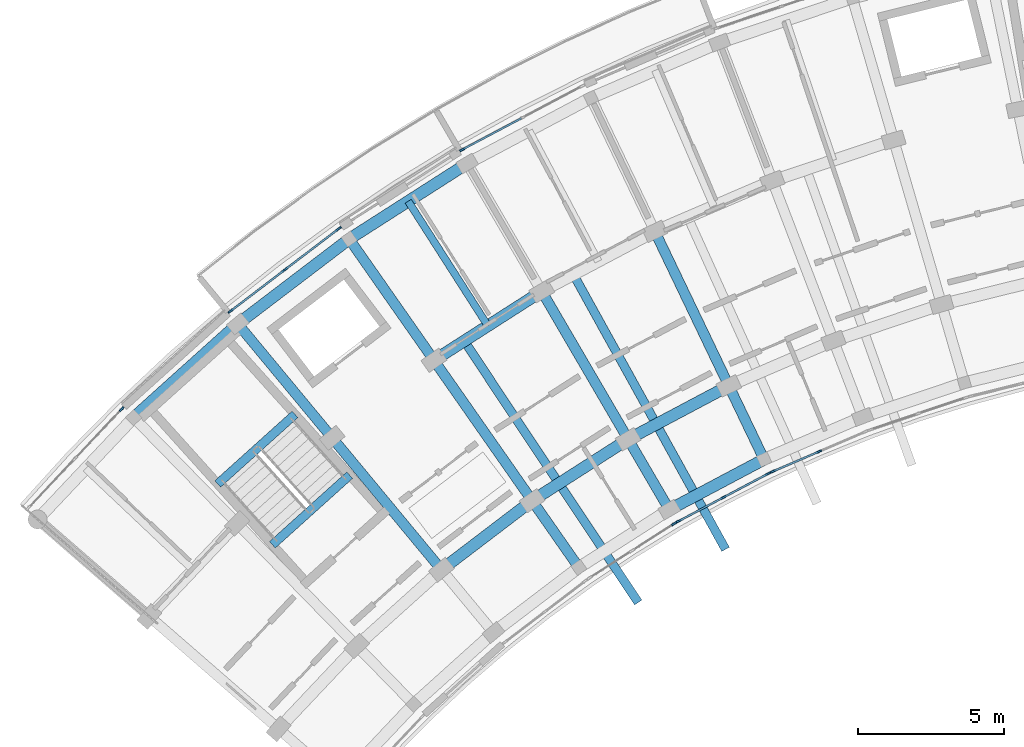
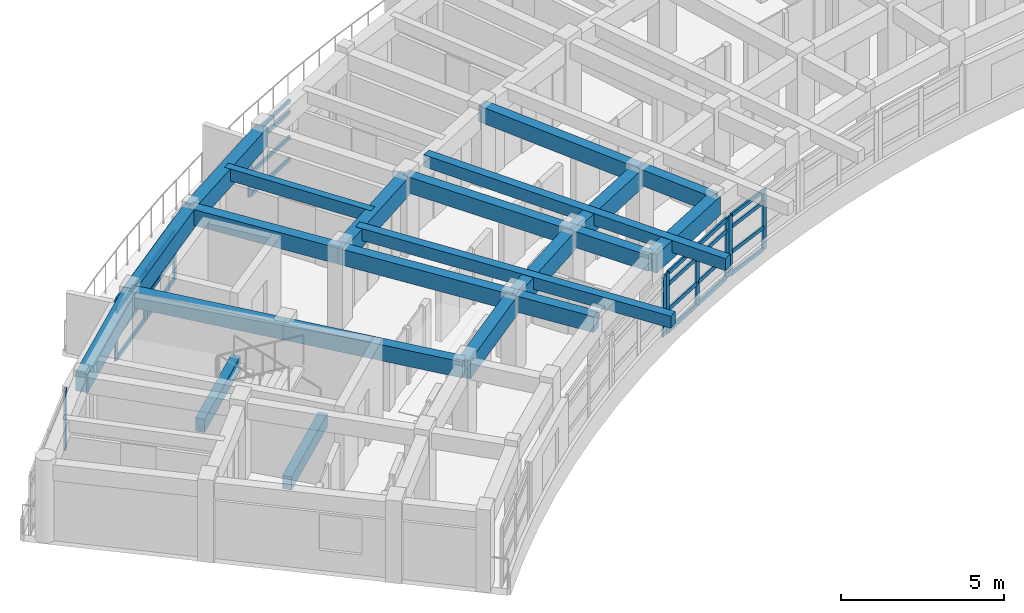
# One storey, part 9 of 50: 35 members, 22 beams, 6 elements without a shape of their own.
"""IFC4 building model written with IfcOpenShell, lengths in metres."""

from ifc_helpers import new_model, si_unit, direction, frame, origin, origin_2d, place, context, subcontext, project, spatial, rectangle, extrude, material, material_profile, profile_set, type_object, element, aggregate, save


model = new_model("IFC4")

# Units and contexts
model_context = context("Model", 3, precision=1e-05, world=origin(), true_north=direction((0.0, 1.0)))
body_context = subcontext(model_context, "Body", "Model", "MODEL_VIEW")
ifc_project = project(units=[si_unit("LENGTHUNIT", "METRE"), si_unit("AREAUNIT", "SQUARE_METRE"), si_unit("VOLUMEUNIT", "CUBIC_METRE"), si_unit("PLANEANGLEUNIT", "RADIAN"), si_unit("MASSUNIT", "GRAM", prefix="KILO")], contexts=[model_context])

# Site, building, storey
site_placement = place(None, origin())
site = spatial("IfcSite", under=ifc_project, at=site_placement, CompositionType="ELEMENT")
building_placement = place(site_placement, origin())
building = spatial("IfcBuilding", under=site, at=building_placement, Name="Zimvara Arc Housing Community", CompositionType="ELEMENT")
storey_placement = place(building_placement, frame((0.0, 0.0, 26.699951171875)))
storey = spatial("IfcBuildingStorey", under=building, at=storey_placement, Name="L08", CompositionType="ELEMENT", Elevation=26.699951171875)

# Beams
ifc_material_1 = material(Name="Concrete C40/50", Category="concrete")
ifc_material_profile_1 = material_profile(ifc_material_1, rectangle(XDim=0.25, YDim=0.449951171875, at=origin_2d()), Name="RC 250x450")
ifc_profile_set_1 = profile_set([ifc_material_profile_1], Name="Concrete C40/50")
beam_type_1 = type_object("IfcBeamType", Name="BM-RC-250x450", PredefinedType="JOIST", material=ifc_profile_set_1)
beam_1_placement = place(storey_placement, frame((16.0224609375, 89.776123046875, 2.655029296875), z_axis=(-0.539052331508, 0.842272274206, 0.0), x_axis=(-0.842272274206, -0.539052331508, 0.0)))
element("IfcBeam", 1, at=beam_1_placement, inside=storey, type_object=beam_type_1, Name="bm:blkA:L08:joist:b3", PredefinedType="JOIST", context=body_context, shape_type="SweptSolid", body=[
    extrude(rectangle(XDim=0.25, YDim=0.449951171875, at=origin_2d()), origin(), (0.0, 0.0, 1.0), 5.07568359375),
])
ifc_material_2 = material(Name="Concrete C40/50", Category="concrete")
ifc_material_profile_2 = material_profile(ifc_material_2, rectangle(XDim=0.300048828125, YDim=0.449951171875, at=origin_2d()), Name="RC 300x450")
ifc_profile_set_2 = profile_set([ifc_material_profile_2], Name="Concrete C40/50")
beam_type_2 = type_object("IfcBeamType", Name="BM-RC-300x450", PredefinedType="JOIST", material=ifc_profile_set_2)
for number, where, z_axis, x_axis, name in (
    (2, (15.188720703125, 89.285400390625, 2.6650390625), (0.55411687771, -0.832438878139, 0.0), (0.832438878139, 0.55411687771, 0.0), "bm:blkA:L08:cant_in:b3"),
    (3, (18.942138671875, 91.568359375, 2.6650390625), (0.484356901768, -0.874870499965, 0.0), (0.874870499965, 0.484356901768, 0.0), "bm:blkA:L08:cant_in:b4"),
):
    element("IfcBeam", number, at=place(storey_placement, frame(where, z_axis=z_axis, x_axis=x_axis)), inside=storey, type_object=beam_type_2, Name=name, PredefinedType="JOIST", context=body_context, shape_type="SweptSolid", body=[
        extrude(rectangle(XDim=0.300048828125, YDim=0.449951171875, at=origin_2d()), origin(), (0.0, 0.0, 1.0), 10.820068359375),
    ])
ifc_material_3 = material(Name="Concrete C40/50", Category="concrete")
ifc_material_profile_3 = material_profile(ifc_material_3, rectangle(XDim=0.300048828125, YDim=0.5, at=origin_2d()), Name="RC 300x500")
ifc_profile_set_3 = profile_set([ifc_material_profile_3], Name="Concrete C40/50")
beam_type_3 = type_object("IfcBeamType", Name="BM-RC-300x500", PredefinedType="BEAM", material=ifc_profile_set_3)
for number, where, z_axis, x_axis, name in (
    (4, (11.278076171875, 84.64697265625, -0.25), (-0.743362151162, -0.668889162881, 0.0), (0.668889162881, -0.743362151162, 0.0), "bm:stair_trim:ST-A1:L08:near"),
    (5, (9.39990234375, 86.734375, 1.300048828125), (-0.743362151162, -0.668889162881, 0.0), (0.668889162881, -0.743362151162, 0.0), "bm:stair_trim:ST-A1:L08:mid"),
):
    element("IfcBeam", number, at=place(storey_placement, frame(where, z_axis=z_axis, x_axis=x_axis)), inside=storey, type_object=beam_type_3, Name=name, PredefinedType="BEAM", context=body_context, shape_type="SweptSolid", body=[
        extrude(rectangle(XDim=0.300048828125, YDim=0.5, at=origin_2d()), origin(), (0.0, 0.0, 1.0), 3.570068359375),
    ])
ifc_material_4 = material(Name="Concrete C40/50", Category="concrete")
ifc_material_profile_4 = material_profile(ifc_material_4, rectangle(XDim=0.35009765625, YDim=0.60009765625, at=origin_2d()), Name="RC 350x600")
ifc_profile_set_4 = profile_set([ifc_material_profile_4], Name="Concrete C40/50")
beam_type_4 = type_object("IfcBeamType", Name="BM-RC-350x600", PredefinedType="BEAM", material=ifc_profile_set_4)
beam_2_placement = place(storey_placement, frame((14.428955078125, 81.401611328125, 2.580078125), z_axis=(-0.637955964415, 0.770072845559, 0.0), x_axis=(-0.770072845559, -0.637955964415, 0.0)))
element("IfcBeam", 6, at=beam_2_placement, inside=storey, type_object=beam_type_4, Name="bm:blkA:L08:rad:b2:r12", PredefinedType="BEAM", context=body_context, shape_type="SweptSolid", body=[
    extrude(rectangle(XDim=0.35009765625, YDim=0.60009765625, at=origin_2d()), origin(), (0.0, 0.0, 1.0), 5.880126953125),
])
beam_3_placement = place(storey_placement, frame((10.677734375, 85.9296875, 2.580078125), z_axis=(-0.637983669165, 0.77004989311, 0.0), x_axis=(-0.77004989311, -0.637983669165, 0.0)))
element("IfcBeam", 7, at=beam_3_placement, inside=storey, type_object=beam_type_4, Name="bm:blkA:L08:rad:b2:r23", PredefinedType="BEAM", context=body_context, shape_type="SweptSolid", body=[
    extrude(rectangle(XDim=0.35009765625, YDim=0.60009765625, at=origin_2d()), origin(), (0.0, 0.0, 1.0), 5.080078125),
])
beam_4_placement = place(storey_placement, frame((19.14599609375, 81.478271484375, 2.580078125), z_axis=(-0.57297651105, 0.819571789281, 0.0), x_axis=(-0.819571789281, -0.57297651105, 0.0)))
element("IfcBeam", 8, at=beam_4_placement, inside=storey, type_object=beam_type_4, Name="bm:blkA:L08:rad:b3:r01", PredefinedType="BEAM", context=body_context, shape_type="SweptSolid", body=[
    extrude(rectangle(XDim=0.35009765625, YDim=0.60009765625, at=origin_2d()), origin(), (0.0, 0.0, 1.0), 2.7998046875),
])
beam_5_placement = place(storey_placement, frame((17.541748046875, 83.77294921875, 2.580078125), z_axis=(-0.573027549978, 0.819536104736, 0.0), x_axis=(-0.819536104736, -0.573027549978, 0.0)))
element("IfcBeam", 9, at=beam_5_placement, inside=storey, type_object=beam_type_4, Name="bm:blkA:L08:rad:b3:r12", PredefinedType="BEAM", context=body_context, shape_type="SweptSolid", body=[
    extrude(rectangle(XDim=0.35009765625, YDim=0.60009765625, at=origin_2d()), origin(), (0.0, 0.0, 1.0), 5.8798828125),
])
beam_6_placement = place(storey_placement, frame((14.17236328125, 88.591796875, 2.580078125), z_axis=(-0.573007469479, 0.819550144848, 0.0), x_axis=(-0.819550144848, -0.573007469479, 0.0)))
element("IfcBeam", 10, at=beam_6_placement, inside=storey, type_object=beam_type_4, Name="bm:blkA:L08:rad:b3:r23", PredefinedType="BEAM", context=body_context, shape_type="SweptSolid", body=[
    extrude(rectangle(XDim=0.35009765625, YDim=0.60009765625, at=origin_2d()), origin(), (0.0, 0.0, 1.0), 5.080078125),
])
beam_7_placement = place(storey_placement, frame((22.249267578125, 83.46435546875, 2.580078125), z_axis=(-0.504239631668, 0.86356377521, 0.0), x_axis=(-0.86356377521, -0.504239631668, 0.0)))
element("IfcBeam", 11, at=beam_7_placement, inside=storey, type_object=beam_type_4, Name="bm:blkA:L08:rad:b4:r01", PredefinedType="BEAM", context=body_context, shape_type="SweptSolid", body=[
    extrude(rectangle(XDim=0.35009765625, YDim=0.60009765625, at=origin_2d()), origin(), (0.0, 0.0, 1.0), 2.800048828125),
])
beam_8_placement = place(storey_placement, frame((20.83740234375, 85.88232421875, 2.580078125), z_axis=(-0.504219494781, 0.863575532934, 0.0), x_axis=(-0.863575532934, -0.504219494781, 0.0)))
element("IfcBeam", 12, at=beam_8_placement, inside=storey, type_object=beam_type_4, Name="bm:blkA:L08:rad:b4:r12", PredefinedType="BEAM", context=body_context, shape_type="SweptSolid", body=[
    extrude(rectangle(XDim=0.35009765625, YDim=0.60009765625, at=origin_2d()), origin(), (0.0, 0.0, 1.0), 5.880126953125),
])
beam_9_placement = place(storey_placement, frame((25.50439453125, 85.190673828125, 2.580078125), z_axis=(-0.432118703138, 0.901816736593, 0.0), x_axis=(-0.901816736593, -0.432118703138, 0.0)))
element("IfcBeam", 13, at=beam_9_placement, inside=storey, type_object=beam_type_4, Name="bm:blkA:L08:rad:b5:r01", PredefinedType="BEAM", context=body_context, shape_type="SweptSolid", body=[
    extrude(rectangle(XDim=0.35009765625, YDim=0.60009765625, at=origin_2d()), origin(), (0.0, 0.0, 1.0), 2.800048828125),
])
beam_10_placement = place(storey_placement, frame((24.29443359375, 87.7158203125, 2.580078125), z_axis=(-0.432069527705, 0.901840298073, 0.0), x_axis=(-0.901840298073, -0.432069527705, 0.0)))
element("IfcBeam", 14, at=beam_10_placement, inside=storey, type_object=beam_type_4, Name="bm:blkA:L08:rad:b5:r12", PredefinedType="BEAM", context=body_context, shape_type="SweptSolid", body=[
    extrude(rectangle(XDim=0.35009765625, YDim=0.60009765625, at=origin_2d()), origin(), (0.0, 0.0, 1.0), 5.8798828125),
])
ifc_material_5 = material(Name="Concrete C40/50", Category="concrete")
ifc_material_profile_5 = material_profile(ifc_material_5, rectangle(XDim=0.39990234375, YDim=0.699951171875, at=origin_2d()), Name="RC 400x700")
ifc_profile_set_5 = profile_set([ifc_material_profile_5], Name="Concrete C40/50")
beam_type_5 = type_object("IfcBeamType", Name="BM-RC-400x700", PredefinedType="BEAM", material=ifc_profile_set_5)
beam_11_placement = place(storey_placement, frame((22.249267578125, 83.46435546875, 2.530029296875), z_axis=(0.883449220086, 0.468526920815, 0.0), x_axis=(-0.468526920815, 0.883449220086, 0.0)))
element("IfcBeam", 15, at=beam_11_placement, inside=storey, type_object=beam_type_5, Name="bm:blkA:L08:chord:r0:b4", PredefinedType="BEAM", context=body_context, shape_type="SweptSolid", body=[
    extrude(rectangle(XDim=0.39990234375, YDim=0.699951171875, at=origin_2d()), origin(), (0.0, 0.0, 1.0), 3.6845703125),
])
beam_12_placement = place(storey_placement, frame((14.428955078125, 81.401611328125, 2.530029296875), z_axis=(0.795470387579, 0.605992460749, 0.0), x_axis=(-0.605992460749, 0.795470387579, 0.0)))
element("IfcBeam", 16, at=beam_12_placement, inside=storey, type_object=beam_type_5, Name="bm:blkA:L08:chord:r1:b2", PredefinedType="BEAM", context=body_context, shape_type="SweptSolid", body=[
    extrude(rectangle(XDim=0.39990234375, YDim=0.699951171875, at=origin_2d()), origin(), (0.0, 0.0, 1.0), 3.9130859375),
])
beam_13_placement = place(storey_placement, frame((17.541748046875, 83.77294921875, 2.530029296875), z_axis=(0.842253269878, 0.539082024724, 0.0), x_axis=(-0.539082024724, 0.842253269878, 0.0)))
element("IfcBeam", 17, at=beam_13_placement, inside=storey, type_object=beam_type_5, Name="bm:blkA:L08:chord:r1:b3", PredefinedType="BEAM", context=body_context, shape_type="SweptSolid", body=[
    extrude(rectangle(XDim=0.39990234375, YDim=0.699951171875, at=origin_2d()), origin(), (0.0, 0.0, 1.0), 3.912841796875),
])
beam_14_placement = place(storey_placement, frame((20.83740234375, 85.88232421875, 2.530029296875), z_axis=(0.883438625159, 0.468546897948, 0.0), x_axis=(-0.468546897948, 0.883438625159, 0.0)))
element("IfcBeam", 18, at=beam_14_placement, inside=storey, type_object=beam_type_5, Name="bm:blkA:L08:chord:r1:b4", PredefinedType="BEAM", context=body_context, shape_type="SweptSolid", body=[
    extrude(rectangle(XDim=0.39990234375, YDim=0.699951171875, at=origin_2d()), origin(), (0.0, 0.0, 1.0), 3.9130859375),
])
beam_15_placement = place(storey_placement, frame((14.17236328125, 88.591796875, 2.530029296875), z_axis=(0.842242131326, 0.539099427025, 0.0), x_axis=(-0.539099427025, 0.842242131326, 0.0)))
element("IfcBeam", 19, at=beam_15_placement, inside=storey, type_object=beam_type_5, Name="bm:blkA:L08:chord:r2:b3", PredefinedType="BEAM", context=body_context, shape_type="SweptSolid", body=[
    extrude(rectangle(XDim=0.39990234375, YDim=0.699951171875, at=origin_2d()), origin(), (0.0, 0.0, 1.0), 4.393310546875),
])
beam_16_placement = place(storey_placement, frame((3.862548828125, 86.625732421875, 2.530029296875), z_axis=(0.743395133402, 0.668852506637, 0.0), x_axis=(-0.668852506637, 0.743395133402, 0.0)))
element("IfcBeam", 20, at=beam_16_placement, inside=storey, type_object=beam_type_5, Name="bm:blkA:L08:chord:r3:b1", PredefinedType="BEAM", context=body_context, shape_type="SweptSolid", body=[
    extrude(rectangle(XDim=0.39990234375, YDim=0.699951171875, at=origin_2d()), origin(), (0.0, 0.0, 1.0), 4.807861328125),
])
beam_17_placement = place(storey_placement, frame((7.436767578125, 89.841552734375, 2.530029296875), z_axis=(0.795480673672, 0.605978958228, 0.0), x_axis=(-0.605978958228, 0.795480673672, 0.0)))
element("IfcBeam", 21, at=beam_17_placement, inside=storey, type_object=beam_type_5, Name="bm:blkA:L08:chord:r3:b2", PredefinedType="BEAM", context=body_context, shape_type="SweptSolid", body=[
    extrude(rectangle(XDim=0.39990234375, YDim=0.699951171875, at=origin_2d()), origin(), (0.0, 0.0, 1.0), 4.80810546875),
])
beam_18_placement = place(storey_placement, frame((11.261474609375, 92.755126953125, 2.530029296875), z_axis=(0.842255724028, 0.539078190379, 0.0), x_axis=(-0.539078190379, 0.842255724028, 0.0)))
element("IfcBeam", 22, at=beam_18_placement, inside=storey, type_object=beam_type_5, Name="bm:blkA:L08:chord:r3:b3", PredefinedType="BEAM", context=body_context, shape_type="SweptSolid", body=[
    extrude(rectangle(XDim=0.39990234375, YDim=0.699951171875, at=origin_2d()), origin(), (0.0, 0.0, 1.0), 4.808349609375),
])

# Curtain wall, member
ifc_material_6 = material(Name="Anodised Aluminium AW-6063", Category="aluminium")
curtain_wall_type_1 = type_object("IfcCurtainWallType", Name="CW-SYS-02", PredefinedType="USERDEFINED", material=ifc_material_6)
curtain_wall_1_placement = place(storey_placement, origin())
curtain_wall_1 = element("IfcCurtainWall", 23, at=curtain_wall_1_placement, inside=storey, type_object=curtain_wall_type_1, Name="cw:blkA:L08:out:b4", ObjectType="CURTAIN WALL", PredefinedType="USERDEFINED")
ifc_material_7 = material(Name="Anodised Aluminium AW-6063", Category="aluminium")
ifc_material_profile_6 = material_profile(ifc_material_7, rectangle(XDim=0.06494140625, YDim=0.179931640625, at=origin_2d()), Name="ALU 65x180")
ifc_profile_set_6 = profile_set([ifc_material_profile_6], Name="Anodised Aluminium AW-6063")
member_type_1 = type_object("IfcMemberType", Name="CWM-65x150", PredefinedType="MULLION", material=ifc_profile_set_6)
member_1_placement = place(storey_placement, frame((15.140869140625, 95.822265625, 0.0), z_axis=(0.0, 0.0, 1.0), x_axis=(-0.468546917761, 0.883438614651, 0.0)))
member_1 = element("IfcMember", 24, at=member_1_placement, type_object=member_type_1, Name="CW02 mullion 1", PredefinedType="MULLION", context=body_context, shape_type="SweptSolid", body=[
    extrude(rectangle(XDim=0.06494140625, YDim=0.179931640625, at=origin_2d()), origin(), (0.0, 0.0, 1.0), 2.25),
])

# Curtain wall, members
ifc_material_8 = material(Name="Anodised Aluminium AW-6063", Category="aluminium")
curtain_wall_type_2 = type_object("IfcCurtainWallType", Name="CW-SYS-04", PredefinedType="USERDEFINED", material=ifc_material_8)
curtain_wall_2_placement = place(storey_placement, origin())
curtain_wall_2 = element("IfcCurtainWall", 25, at=curtain_wall_2_placement, inside=storey, type_object=curtain_wall_type_2, Name="cw:blkA:L08:in:b5", ObjectType="CURTAIN WALL", PredefinedType="USERDEFINED")
member_2_placement = place(storey_placement, frame((25.805419921875, 84.7763671875, 0.0), z_axis=(0.0, 0.0, 1.0), x_axis=(-0.394904493375, 0.918722178415, 0.0)))
member_2 = element("IfcMember", 26, at=member_2_placement, type_object=member_type_1, Name="CW04 mullion 1", PredefinedType="MULLION", context=body_context, shape_type="SweptSolid", body=[
    extrude(rectangle(XDim=0.06494140625, YDim=0.179931640625, at=origin_2d()), origin(), (0.0, 0.0, 1.0), 2.25),
])
member_3_placement = place(storey_placement, frame((27.39404296875, 85.459228515625, 0.0), z_axis=(0.0, 0.0, 1.0), x_axis=(-0.394904493375, 0.918722178415, 0.0)))
member_3 = element("IfcMember", 27, at=member_3_placement, type_object=member_type_1, Name="CW04 mullion 2", PredefinedType="MULLION", context=body_context, shape_type="SweptSolid", body=[
    extrude(rectangle(XDim=0.06494140625, YDim=0.179931640625, at=origin_2d()), origin(), (0.0, 0.0, 1.0), 2.25),
])

# Curtain wall, member
ifc_material_9 = material(Name="Anodised Aluminium AW-6063", Category="aluminium")
curtain_wall_type_3 = type_object("IfcCurtainWallType", Name="CW-SYS-05", PredefinedType="USERDEFINED", material=ifc_material_9)
curtain_wall_3_placement = place(storey_placement, origin())
curtain_wall_3 = element("IfcCurtainWall", 28, at=curtain_wall_3_placement, inside=storey, type_object=curtain_wall_type_3, Name="cw:blkA:L08:out:b0", ObjectType="CURTAIN WALL", PredefinedType="USERDEFINED")
ifc_material_10 = material(Name="Anodised Aluminium AW-6063", Category="aluminium")
ifc_material_profile_7 = material_profile(ifc_material_10, rectangle(XDim=0.06494140625, YDim=0.195068359375, at=origin_2d()), Name="ALU 65x195")
ifc_profile_set_7 = profile_set([ifc_material_profile_7], Name="Anodised Aluminium AW-6063")
member_type_2 = type_object("IfcMemberType", Name="CWM-65x180", PredefinedType="MULLION", material=ifc_profile_set_7)
member_4_placement = place(storey_placement, frame((3.44970703125, 86.916015625, 0.0), z_axis=(0.0, 0.0, 1.0), x_axis=(-0.727293647725, 0.686326416495, 0.0)))
member_4 = element("IfcMember", 29, at=member_4_placement, type_object=member_type_2, Name="CW05 mullion 3", PredefinedType="MULLION", context=body_context, shape_type="SweptSolid", body=[
    extrude(rectangle(XDim=0.06494140625, YDim=0.195068359375, at=origin_2d()), origin(), (0.0, 0.0, 1.0), 2.25),
])
aggregate(curtain_wall_3, [member_4])

# Curtain wall, members
ifc_material_11 = material(Name="Anodised Aluminium AW-6063", Category="aluminium")
curtain_wall_type_4 = type_object("IfcCurtainWallType", Name="CW-SYS-07", PredefinedType="USERDEFINED", material=ifc_material_11)
curtain_wall_4_placement = place(storey_placement, origin())
curtain_wall_4 = element("IfcCurtainWall", 30, at=curtain_wall_4_placement, inside=storey, type_object=curtain_wall_type_4, Name="cw:blkA:L08:out:b2", ObjectType="CURTAIN WALL", PredefinedType="USERDEFINED")
member_5_placement = place(storey_placement, frame((7.19140625, 90.28271484375, 0.0), z_axis=(0.0, 0.0, 1.0), x_axis=(-0.60598771987, 0.795473999177, 0.0)))
member_5 = element("IfcMember", 31, at=member_5_placement, type_object=member_type_2, Name="CW07 mullion 1", PredefinedType="MULLION", context=body_context, shape_type="SweptSolid", body=[
    extrude(rectangle(XDim=0.06494140625, YDim=0.195068359375, at=origin_2d()), origin(), (0.0, 0.0, 1.0), 2.25),
])
member_6_placement = place(storey_placement, frame((9.04638671875, 91.69580078125, 0.0), z_axis=(0.0, 0.0, 1.0), x_axis=(-0.60598771987, 0.795473999177, 0.0)))
member_6 = element("IfcMember", 32, at=member_6_placement, type_object=member_type_2, Name="CW07 mullion 2", PredefinedType="MULLION", context=body_context, shape_type="SweptSolid", body=[
    extrude(rectangle(XDim=0.06494140625, YDim=0.195068359375, at=origin_2d()), origin(), (0.0, 0.0, 1.0), 2.25),
])
member_7_placement = place(storey_placement, frame((10.9013671875, 93.10888671875, 0.0), z_axis=(0.0, 0.0, 1.0), x_axis=(-0.60598771987, 0.795473999177, 0.0)))
member_7 = element("IfcMember", 33, at=member_7_placement, type_object=member_type_2, Name="CW07 mullion 3", PredefinedType="MULLION", context=body_context, shape_type="SweptSolid", body=[
    extrude(rectangle(XDim=0.06494140625, YDim=0.195068359375, at=origin_2d()), origin(), (0.0, 0.0, 1.0), 2.25),
])

# Curtain wall, member
ifc_material_12 = material(Name="Anodised Aluminium AW-6063", Category="aluminium")
curtain_wall_type_5 = type_object("IfcCurtainWallType", Name="CW-SYS-01", PredefinedType="USERDEFINED", material=ifc_material_12)
curtain_wall_5_placement = place(storey_placement, origin())
curtain_wall_5 = element("IfcCurtainWall", 34, at=curtain_wall_5_placement, inside=storey, type_object=curtain_wall_type_5, Name="cw:blkA:L08:in:b3", ObjectType="CURTAIN WALL", PredefinedType="USERDEFINED")
member_8_placement = place(storey_placement, frame((22.423583984375, 82.982666015625, 0.0), z_axis=(0.0, 0.0, 1.0), x_axis=(-0.539064085203, 0.842264751752, 0.0)))
member_8 = element("IfcMember", 35, at=member_8_placement, type_object=member_type_2, Name="CW01 mullion 3", PredefinedType="MULLION", context=body_context, shape_type="SweptSolid", body=[
    extrude(rectangle(XDim=0.06494140625, YDim=0.195068359375, at=origin_2d()), origin(), (0.0, 0.0, 1.0), 2.25),
])
aggregate(curtain_wall_5, [member_8])

# Curtain wall, members
ifc_material_13 = material(Name="Anodised Aluminium AW-6063", Category="aluminium")
curtain_wall_type_6 = type_object("IfcCurtainWallType", Name="CW-SYS-03", PredefinedType="USERDEFINED", material=ifc_material_13)
curtain_wall_6_placement = place(storey_placement, origin())
curtain_wall_6 = element("IfcCurtainWall", 36, at=curtain_wall_6_placement, inside=storey, type_object=curtain_wall_type_6, Name="cw:blkA:L08:in:b4", ObjectType="CURTAIN WALL", PredefinedType="USERDEFINED")
member_9_placement = place(storey_placement, frame((22.583251953125, 83.075927734375, 0.0), z_axis=(0.0, 0.0, 1.0), x_axis=(-0.468544648573, 0.88343981815, 0.0)))
member_9 = element("IfcMember", 37, at=member_9_placement, type_object=member_type_2, Name="CW03 mullion 1", PredefinedType="MULLION", context=body_context, shape_type="SweptSolid", body=[
    extrude(rectangle(XDim=0.06494140625, YDim=0.195068359375, at=origin_2d()), origin(), (0.0, 0.0, 1.0), 2.25),
])
member_10_placement = place(storey_placement, frame((24.11083984375, 83.88623046875, 0.0), z_axis=(0.0, 0.0, 1.0), x_axis=(-0.468544648573, 0.88343981815, 0.0)))
member_10 = element("IfcMember", 38, at=member_10_placement, type_object=member_type_2, Name="CW03 mullion 2", PredefinedType="MULLION", context=body_context, shape_type="SweptSolid", body=[
    extrude(rectangle(XDim=0.06494140625, YDim=0.195068359375, at=origin_2d()), origin(), (0.0, 0.0, 1.0), 2.25),
])
member_11_placement = place(storey_placement, frame((25.638671875, 84.696533203125, 0.0), z_axis=(0.0, 0.0, 1.0), x_axis=(-0.468544648573, 0.88343981815, 0.0)))
member_11 = element("IfcMember", 39, at=member_11_placement, type_object=member_type_2, Name="CW03 mullion 3", PredefinedType="MULLION", context=body_context, shape_type="SweptSolid", body=[
    extrude(rectangle(XDim=0.06494140625, YDim=0.195068359375, at=origin_2d()), origin(), (0.0, 0.0, 1.0), 2.25),
])

# Member
ifc_material_14 = material(Name="Anodised Aluminium AW-6063", Category="aluminium")
ifc_material_profile_8 = material_profile(ifc_material_14, rectangle(XDim=0.06494140625, YDim=0.139892578125, at=origin_2d()), Name="ALU 65x140")
ifc_profile_set_8 = profile_set([ifc_material_profile_8], Name="Anodised Aluminium AW-6063")
member_type_3 = type_object("IfcMemberType", Name="CWT-65x120", PredefinedType="USERDEFINED", material=ifc_profile_set_8)
member_12_placement = place(storey_placement, frame((15.16943359375, 95.83740234375, 0.032470703125), z_axis=(0.883420900208, 0.468580316568, 0.0), x_axis=(-0.468580316568, 0.883420900208, 0.0)))
member_12 = element("IfcMember", 40, at=member_12_placement, type_object=member_type_3, Name="CW02 transom 1.1", ObjectType="TRANSOM", PredefinedType="USERDEFINED", context=body_context, shape_type="SweptSolid", body=[
    extrude(rectangle(XDim=0.06494140625, YDim=0.139892578125, at=origin_2d()), origin(), (0.0, 0.0, 1.0), 2.266845703125),
])

member_13_placement = place(storey_placement, frame((15.16943359375, 95.83740234375, 0.85009765625), z_axis=(0.883420900208, 0.468580316568, 0.0), x_axis=(-0.468580316568, 0.883420900208, 0.0)))
member_13 = element("IfcMember", 41, at=member_13_placement, type_object=member_type_3, Name="CW02 transom 1.2", ObjectType="TRANSOM", PredefinedType="USERDEFINED", context=body_context, shape_type="SweptSolid", body=[
    extrude(rectangle(XDim=0.06494140625, YDim=0.139892578125, at=origin_2d()), origin(), (0.0, 0.0, 1.0), 2.266845703125),
])

member_14_placement = place(storey_placement, frame((15.16943359375, 95.83740234375, 1.800048828125), z_axis=(0.883420900208, 0.468580316568, 0.0), x_axis=(-0.468580316568, 0.883420900208, 0.0)))
member_14 = element("IfcMember", 42, at=member_14_placement, type_object=member_type_3, Name="CW02 transom 1.3", ObjectType="TRANSOM", PredefinedType="USERDEFINED", context=body_context, shape_type="SweptSolid", body=[
    extrude(rectangle(XDim=0.06494140625, YDim=0.139892578125, at=origin_2d()), origin(), (0.0, 0.0, 1.0), 2.266845703125),
])

member_15_placement = place(storey_placement, frame((15.16943359375, 95.83740234375, 2.217529296875), z_axis=(0.883420900208, 0.468580316568, 0.0), x_axis=(-0.468580316568, 0.883420900208, 0.0)))
member_15 = element("IfcMember", 43, at=member_15_placement, type_object=member_type_3, Name="CW02 transom 1.4", ObjectType="TRANSOM", PredefinedType="USERDEFINED", context=body_context, shape_type="SweptSolid", body=[
    extrude(rectangle(XDim=0.06494140625, YDim=0.139892578125, at=origin_2d()), origin(), (0.0, 0.0, 1.0), 2.266845703125),
])

aggregate(curtain_wall_1, [member_1, member_12, member_13, member_14, member_15])

member_16_placement = place(storey_placement, frame((25.835205078125, 84.7890625, 0.032470703125), z_axis=(0.918727202972, 0.394892803832, 0.0), x_axis=(-0.394892803832, 0.918727202972, 0.0)))
member_16 = element("IfcMember", 44, at=member_16_placement, type_object=member_type_3, Name="CW04 transom 1.1", ObjectType="TRANSOM", PredefinedType="USERDEFINED", context=body_context, shape_type="SweptSolid", body=[
    extrude(rectangle(XDim=0.06494140625, YDim=0.139892578125, at=origin_2d()), origin(), (0.0, 0.0, 1.0), 1.664306640625),
])

member_17_placement = place(storey_placement, frame((25.835205078125, 84.7890625, 0.85009765625), z_axis=(0.918727202972, 0.394892803832, 0.0), x_axis=(-0.394892803832, 0.918727202972, 0.0)))
member_17 = element("IfcMember", 45, at=member_17_placement, type_object=member_type_3, Name="CW04 transom 1.2", ObjectType="TRANSOM", PredefinedType="USERDEFINED", context=body_context, shape_type="SweptSolid", body=[
    extrude(rectangle(XDim=0.06494140625, YDim=0.139892578125, at=origin_2d()), origin(), (0.0, 0.0, 1.0), 1.664306640625),
])

member_18_placement = place(storey_placement, frame((25.835205078125, 84.7890625, 1.800048828125), z_axis=(0.918727202972, 0.394892803832, 0.0), x_axis=(-0.394892803832, 0.918727202972, 0.0)))
member_18 = element("IfcMember", 46, at=member_18_placement, type_object=member_type_3, Name="CW04 transom 1.3", ObjectType="TRANSOM", PredefinedType="USERDEFINED", context=body_context, shape_type="SweptSolid", body=[
    extrude(rectangle(XDim=0.06494140625, YDim=0.139892578125, at=origin_2d()), origin(), (0.0, 0.0, 1.0), 1.664306640625),
])

member_19_placement = place(storey_placement, frame((25.835205078125, 84.7890625, 2.217529296875), z_axis=(0.918727202972, 0.394892803832, 0.0), x_axis=(-0.394892803832, 0.918727202972, 0.0)))
member_19 = element("IfcMember", 47, at=member_19_placement, type_object=member_type_3, Name="CW04 transom 1.4", ObjectType="TRANSOM", PredefinedType="USERDEFINED", context=body_context, shape_type="SweptSolid", body=[
    extrude(rectangle(XDim=0.06494140625, YDim=0.139892578125, at=origin_2d()), origin(), (0.0, 0.0, 1.0), 1.664306640625),
])

aggregate(curtain_wall_2, [member_2, member_3, member_16, member_17, member_18, member_19])

ifc_material_15 = material(Name="Anodised Aluminium AW-6063", Category="aluminium")
ifc_material_profile_9 = material_profile(ifc_material_15, rectangle(XDim=0.06494140625, YDim=0.155029296875, at=origin_2d()), Name="ALU 65x155")
ifc_profile_set_9 = profile_set([ifc_material_profile_9], Name="Anodised Aluminium AW-6063")
member_type_4 = type_object("IfcMemberType", Name="CWT-65x140", PredefinedType="USERDEFINED", material=ifc_profile_set_9)
member_20_placement = place(storey_placement, frame((7.21728515625, 90.302490234375, 0.032470703125), z_axis=(0.795505886513, 0.605945859399, 0.0), x_axis=(-0.605945859399, 0.795505886513, 0.0)))
member_20 = element("IfcMember", 48, at=member_20_placement, type_object=member_type_4, Name="CW07 transom 1.1", ObjectType="TRANSOM", PredefinedType="USERDEFINED", context=body_context, shape_type="SweptSolid", body=[
    extrude(rectangle(XDim=0.06494140625, YDim=0.155029296875, at=origin_2d()), origin(), (0.0, 0.0, 1.0), 2.266845703125),
])

member_21_placement = place(storey_placement, frame((7.21728515625, 90.302490234375, 0.85009765625), z_axis=(0.795505886513, 0.605945859399, 0.0), x_axis=(-0.605945859399, 0.795505886513, 0.0)))
member_21 = element("IfcMember", 49, at=member_21_placement, type_object=member_type_4, Name="CW07 transom 1.2", ObjectType="TRANSOM", PredefinedType="USERDEFINED", context=body_context, shape_type="SweptSolid", body=[
    extrude(rectangle(XDim=0.06494140625, YDim=0.155029296875, at=origin_2d()), origin(), (0.0, 0.0, 1.0), 2.266845703125),
])

member_22_placement = place(storey_placement, frame((7.21728515625, 90.302490234375, 1.800048828125), z_axis=(0.795505886513, 0.605945859399, 0.0), x_axis=(-0.605945859399, 0.795505886513, 0.0)))
member_22 = element("IfcMember", 50, at=member_22_placement, type_object=member_type_4, Name="CW07 transom 1.3", ObjectType="TRANSOM", PredefinedType="USERDEFINED", context=body_context, shape_type="SweptSolid", body=[
    extrude(rectangle(XDim=0.06494140625, YDim=0.155029296875, at=origin_2d()), origin(), (0.0, 0.0, 1.0), 2.266845703125),
])

member_23_placement = place(storey_placement, frame((7.21728515625, 90.302490234375, 2.217529296875), z_axis=(0.795505886513, 0.605945859399, 0.0), x_axis=(-0.605945859399, 0.795505886513, 0.0)))
member_23 = element("IfcMember", 51, at=member_23_placement, type_object=member_type_4, Name="CW07 transom 1.4", ObjectType="TRANSOM", PredefinedType="USERDEFINED", context=body_context, shape_type="SweptSolid", body=[
    extrude(rectangle(XDim=0.06494140625, YDim=0.155029296875, at=origin_2d()), origin(), (0.0, 0.0, 1.0), 2.266845703125),
])

member_24_placement = place(storey_placement, frame((9.072265625, 91.715576171875, 0.032470703125), z_axis=(0.795453969776, 0.606014011363, 0.0), x_axis=(-0.606014011363, 0.795453969776, 0.0)))
member_24 = element("IfcMember", 52, at=member_24_placement, type_object=member_type_4, Name="CW07 transom 2.1", ObjectType="TRANSOM", PredefinedType="USERDEFINED", context=body_context, shape_type="SweptSolid", body=[
    extrude(rectangle(XDim=0.06494140625, YDim=0.155029296875, at=origin_2d()), origin(), (0.0, 0.0, 1.0), 2.266845703125),
])

member_25_placement = place(storey_placement, frame((9.072265625, 91.715576171875, 0.85009765625), z_axis=(0.795453969776, 0.606014011363, 0.0), x_axis=(-0.606014011363, 0.795453969776, 0.0)))
member_25 = element("IfcMember", 53, at=member_25_placement, type_object=member_type_4, Name="CW07 transom 2.2", ObjectType="TRANSOM", PredefinedType="USERDEFINED", context=body_context, shape_type="SweptSolid", body=[
    extrude(rectangle(XDim=0.06494140625, YDim=0.155029296875, at=origin_2d()), origin(), (0.0, 0.0, 1.0), 2.266845703125),
])

member_26_placement = place(storey_placement, frame((9.072265625, 91.715576171875, 1.800048828125), z_axis=(0.795453969776, 0.606014011363, 0.0), x_axis=(-0.606014011363, 0.795453969776, 0.0)))
member_26 = element("IfcMember", 54, at=member_26_placement, type_object=member_type_4, Name="CW07 transom 2.3", ObjectType="TRANSOM", PredefinedType="USERDEFINED", context=body_context, shape_type="SweptSolid", body=[
    extrude(rectangle(XDim=0.06494140625, YDim=0.155029296875, at=origin_2d()), origin(), (0.0, 0.0, 1.0), 2.266845703125),
])

member_27_placement = place(storey_placement, frame((9.072265625, 91.715576171875, 2.217529296875), z_axis=(0.795453969776, 0.606014011363, 0.0), x_axis=(-0.606014011363, 0.795453969776, 0.0)))
member_27 = element("IfcMember", 55, at=member_27_placement, type_object=member_type_4, Name="CW07 transom 2.4", ObjectType="TRANSOM", PredefinedType="USERDEFINED", context=body_context, shape_type="SweptSolid", body=[
    extrude(rectangle(XDim=0.06494140625, YDim=0.155029296875, at=origin_2d()), origin(), (0.0, 0.0, 1.0), 2.266845703125),
])

aggregate(curtain_wall_4, [member_5, member_6, member_7, member_20, member_21, member_22, member_23, member_24, member_25, member_26, member_27])

member_28_placement = place(storey_placement, frame((22.61181640625, 83.091064453125, 0.032470703125), z_axis=(0.883463021947, 0.468500895252, 0.0), x_axis=(-0.468500895252, 0.883463021947, 0.0)))
member_28 = element("IfcMember", 56, at=member_28_placement, type_object=member_type_4, Name="CW03 transom 1.1", ObjectType="TRANSOM", PredefinedType="USERDEFINED", context=body_context, shape_type="SweptSolid", body=[
    extrude(rectangle(XDim=0.06494140625, YDim=0.155029296875, at=origin_2d()), origin(), (0.0, 0.0, 1.0), 1.664306640625),
])

member_29_placement = place(storey_placement, frame((22.61181640625, 83.091064453125, 0.85009765625), z_axis=(0.883463021947, 0.468500895252, 0.0), x_axis=(-0.468500895252, 0.883463021947, 0.0)))
member_29 = element("IfcMember", 57, at=member_29_placement, type_object=member_type_4, Name="CW03 transom 1.2", ObjectType="TRANSOM", PredefinedType="USERDEFINED", context=body_context, shape_type="SweptSolid", body=[
    extrude(rectangle(XDim=0.06494140625, YDim=0.155029296875, at=origin_2d()), origin(), (0.0, 0.0, 1.0), 1.664306640625),
])

member_30_placement = place(storey_placement, frame((22.61181640625, 83.091064453125, 1.800048828125), z_axis=(0.883463021947, 0.468500895252, 0.0), x_axis=(-0.468500895252, 0.883463021947, 0.0)))
member_30 = element("IfcMember", 58, at=member_30_placement, type_object=member_type_4, Name="CW03 transom 1.3", ObjectType="TRANSOM", PredefinedType="USERDEFINED", context=body_context, shape_type="SweptSolid", body=[
    extrude(rectangle(XDim=0.06494140625, YDim=0.155029296875, at=origin_2d()), origin(), (0.0, 0.0, 1.0), 1.664306640625),
])

member_31_placement = place(storey_placement, frame((22.61181640625, 83.091064453125, 2.217529296875), z_axis=(0.883463021947, 0.468500895252, 0.0), x_axis=(-0.468500895252, 0.883463021947, 0.0)))
member_31 = element("IfcMember", 59, at=member_31_placement, type_object=member_type_4, Name="CW03 transom 1.4", ObjectType="TRANSOM", PredefinedType="USERDEFINED", context=body_context, shape_type="SweptSolid", body=[
    extrude(rectangle(XDim=0.06494140625, YDim=0.155029296875, at=origin_2d()), origin(), (0.0, 0.0, 1.0), 1.664306640625),
])

member_32_placement = place(storey_placement, frame((24.1396484375, 83.9013671875, 0.032470703125), z_axis=(0.8834308201, 0.468561613982, 0.0), x_axis=(-0.468561613982, 0.8834308201, 0.0)))
member_32 = element("IfcMember", 60, at=member_32_placement, type_object=member_type_4, Name="CW03 transom 2.1", ObjectType="TRANSOM", PredefinedType="USERDEFINED", context=body_context, shape_type="SweptSolid", body=[
    extrude(rectangle(XDim=0.06494140625, YDim=0.155029296875, at=origin_2d()), origin(), (0.0, 0.0, 1.0), 1.664306640625),
])

member_33_placement = place(storey_placement, frame((24.1396484375, 83.9013671875, 0.85009765625), z_axis=(0.8834308201, 0.468561613982, 0.0), x_axis=(-0.468561613982, 0.8834308201, 0.0)))
member_33 = element("IfcMember", 61, at=member_33_placement, type_object=member_type_4, Name="CW03 transom 2.2", ObjectType="TRANSOM", PredefinedType="USERDEFINED", context=body_context, shape_type="SweptSolid", body=[
    extrude(rectangle(XDim=0.06494140625, YDim=0.155029296875, at=origin_2d()), origin(), (0.0, 0.0, 1.0), 1.664306640625),
])

member_34_placement = place(storey_placement, frame((24.1396484375, 83.9013671875, 1.800048828125), z_axis=(0.8834308201, 0.468561613982, 0.0), x_axis=(-0.468561613982, 0.8834308201, 0.0)))
member_34 = element("IfcMember", 62, at=member_34_placement, type_object=member_type_4, Name="CW03 transom 2.3", ObjectType="TRANSOM", PredefinedType="USERDEFINED", context=body_context, shape_type="SweptSolid", body=[
    extrude(rectangle(XDim=0.06494140625, YDim=0.155029296875, at=origin_2d()), origin(), (0.0, 0.0, 1.0), 1.664306640625),
])

member_35_placement = place(storey_placement, frame((24.1396484375, 83.9013671875, 2.217529296875), z_axis=(0.8834308201, 0.468561613982, 0.0), x_axis=(-0.468561613982, 0.8834308201, 0.0)))
member_35 = element("IfcMember", 63, at=member_35_placement, type_object=member_type_4, Name="CW03 transom 2.4", ObjectType="TRANSOM", PredefinedType="USERDEFINED", context=body_context, shape_type="SweptSolid", body=[
    extrude(rectangle(XDim=0.06494140625, YDim=0.155029296875, at=origin_2d()), origin(), (0.0, 0.0, 1.0), 1.664306640625),
])

aggregate(curtain_wall_6, [member_9, member_10, member_11, member_28, member_29, member_30, member_31, member_32, member_33, member_34, member_35])

save(model, "model.ifc")
